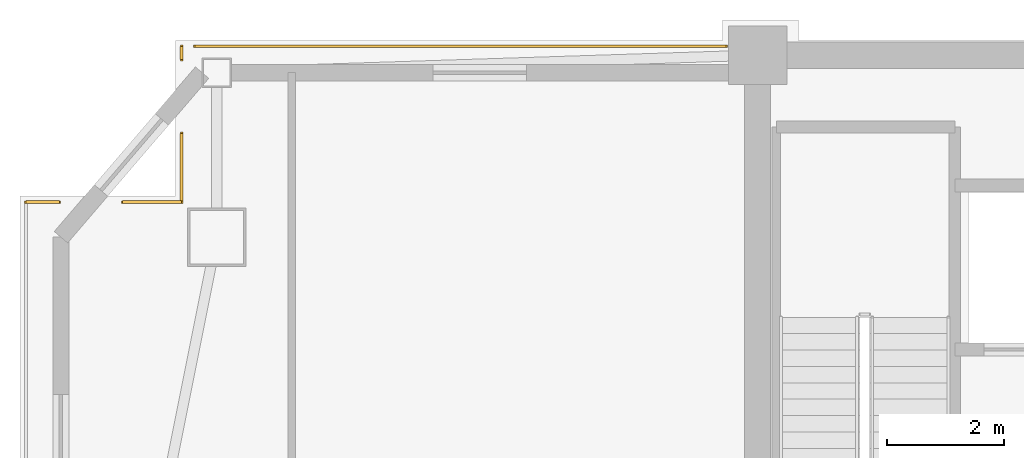
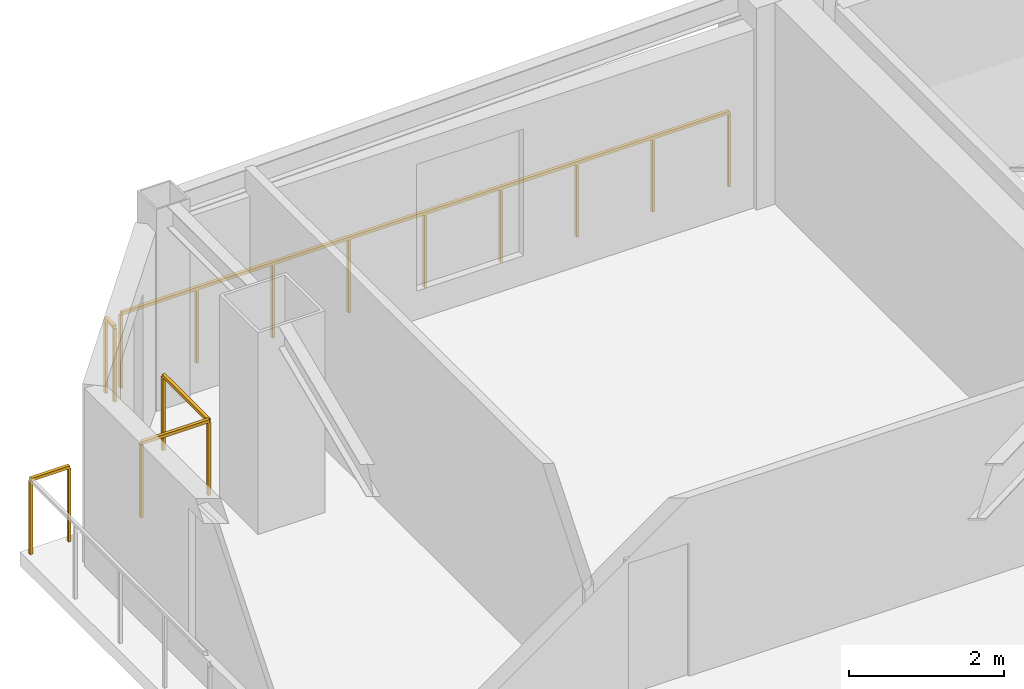
# One storey, part 18 of 19: 5 railings.
"""IFC4 building model written with IfcOpenShell, lengths in metres."""

import ifcopenshell
import ifcopenshell.guid

model = None  # the IFC model being written
_history = None  # IfcOwnerHistory: only IFC2X3 demands one
_inside = {}  # id of a spatial element -> (the spatial element, [elements in it])
_under = {}  # id of a project, library or spatial element -> (it, [spatial elements below it])
_declared = {}  # id of a project -> (the project, [libraries it declares])
_typed = {}  # id of a type object -> (the type object, [elements of that type])
_made_of = {}  # id of a material, layer set ... -> (it, [elements and type objects made of it])


def new_model(schema):
    """Start an empty IFC model of exactly this schema.

    Asked for "IFC4X3", IfcOpenShell would pick the latest addendum, in which some entities
    have other attributes; the version numbers below select the first issue.
    IFC2X3 requires an IfcOwnerHistory on every rooted entity: one is made here for all.
    """
    global model, _history
    if schema == "IFC4X3":
        model = ifcopenshell.file(schema_version=(4, 3, 0, 0))
    else:
        model = ifcopenshell.file(schema=schema)
    _inside.clear()
    _under.clear()
    _declared.clear()
    _typed.clear()
    _made_of.clear()
    _history = None
    if model.schema == "IFC2X3":
        org = make("IfcOrganization", Name="unknown")
        user = make(
            "IfcPersonAndOrganization",
            ThePerson=make("IfcPerson", FamilyName="unknown"),
            TheOrganization=org,
        )
        app = make(
            "IfcApplication",
            ApplicationDeveloper=org,
            Version="unknown",
            ApplicationFullName="unknown",
            ApplicationIdentifier="unknown",
        )
        _history = make(
            "IfcOwnerHistory",
            OwningUser=user,
            OwningApplication=app,
            ChangeAction="ADDED",
            CreationDate=0,
        )
    return model


def make(cls, **values):
    """One entity of the class cls with the attributes given. An attribute that is None is left unset."""
    return model.create_entity(
        cls, **{name: value for name, value in values.items() if value is not None}
    )


def rooted(cls, **values):
    """An entity with a GlobalId (a new one), such as an element, a storey or a relation."""
    return make(cls, GlobalId=ifcopenshell.guid.new(), OwnerHistory=_history, **values)


def si_unit(unit_type, name, prefix=None):
    """IfcSIUnit, for example si_unit("LENGTHUNIT", "METRE", prefix="MILLI")."""
    return make("IfcSIUnit", UnitType=unit_type, Prefix=prefix, Name=name)


def assignment(units):
    """IfcUnitAssignment: the units of a project."""
    return None if units is None else make("IfcUnitAssignment", Units=units)


def point(xyz):
    """IfcCartesianPoint."""
    return None if xyz is None else make("IfcCartesianPoint", Coordinates=xyz)


def direction(xyz):
    """IfcDirection."""
    return None if xyz is None else make("IfcDirection", DirectionRatios=xyz)


def frame(location, z_axis=None, x_axis=None):
    """IfcAxis2Placement3D, a coordinate frame: its origin and axes. An axis left out is left unset."""
    return make(
        "IfcAxis2Placement3D",
        Location=point(location),
        Axis=direction(z_axis),
        RefDirection=direction(x_axis),
    )


def frame_2d(location, x_axis=None):
    """IfcAxis2Placement2D, a coordinate frame in the plane: its origin and x axis."""
    return make(
        "IfcAxis2Placement2D", Location=point(location), RefDirection=direction(x_axis)
    )


def origin():
    """The frame at (0, 0, 0) with its axes left unset."""
    return frame((0.0, 0.0, 0.0))


def origin_2d():
    """The frame at (0, 0) in the plane with its x axis left unset."""
    return frame_2d((0.0, 0.0))


def place(relative_to, where):
    """IfcLocalPlacement: puts the frame where relative to a parent placement (None: the world)."""
    return make(
        "IfcLocalPlacement", PlacementRelTo=relative_to, RelativePlacement=where
    )


def context(
    kind, dimensions, precision=None, world=None, true_north=None, identifier=None
):
    """IfcGeometricRepresentationContext, for example the 3D "Model" context."""
    return make(
        "IfcGeometricRepresentationContext",
        ContextIdentifier=identifier,
        ContextType=kind,
        CoordinateSpaceDimension=dimensions,
        Precision=precision,
        WorldCoordinateSystem=world,
        TrueNorth=true_north,
    )


def subcontext(parent, identifier, kind, view, scale=None):
    """IfcGeometricRepresentationSubContext, for example "Body" below "Model"."""
    return make(
        "IfcGeometricRepresentationSubContext",
        ContextIdentifier=identifier,
        ContextType=kind,
        ParentContext=parent,
        TargetScale=scale,
        TargetView=view,
    )


def project(units=None, contexts=None):
    """IfcProject with its units and contexts."""
    return rooted(
        "IfcProject",
        Name="project",
        RepresentationContexts=contexts,
        UnitsInContext=assignment(units),
    )


def spatial(cls, under=None, at=None, **own):
    """A site, building, storey or space (cls), placed at a placement, below another one or the project."""
    s = rooted(cls, ObjectPlacement=at, **own)
    if under is not None:
        _under.setdefault(under.id(), (under, []))[1].append(s)
    return s


def profile(cls, at=None, kind="AREA", **sizes):
    """A parametric profile (cls). Its sizes go by their IFC names, for example OverallWidth=200.0."""
    return make(cls, ProfileType=kind, Position=at, **sizes)


def rectangle(**sizes):
    """IfcRectangleProfileDef."""
    return profile("IfcRectangleProfileDef", **sizes)


def extrude(swept, where, along, depth):
    """IfcExtrudedAreaSolid: the profile swept, set in the frame where, extruded along a direction by depth."""
    return make(
        "IfcExtrudedAreaSolid",
        SweptArea=swept,
        Position=where,
        ExtrudedDirection=direction(along),
        Depth=depth,
    )


def shape(context_of_items, identifier, shape_type, items):
    """IfcShapeRepresentation: the items that make up one representation, for example the "Body"."""
    return make(
        "IfcShapeRepresentation",
        ContextOfItems=context_of_items,
        RepresentationIdentifier=identifier,
        RepresentationType=shape_type,
        Items=items,
    )


def material(Name=None, Category=None):
    """IfcMaterial."""
    return make("IfcMaterial", Name=Name, Category=Category)


def made_of(thing, what):
    """Note that an element or type object is made of a material, layer set ...; save() writes the relation."""
    if what is not None:
        _made_of.setdefault(what.id(), (what, []))[1].append(thing)
    return thing


def type_object(cls, material=None, **own):
    """A type object (cls), such as IfcWallType, which elements share."""
    return made_of(rooted(cls, **own), material)


def element(
    cls,
    number,
    at=None,
    inside=None,
    cuts=None,
    type_object=None,
    material=None,
    context=None,
    identifier="Body",
    shape_type=None,
    held_by="IfcProductDefinitionShape",
    body=None,
    shapes=None,
    **own,
):
    """One element of the class cls, such as IfcWall. Its Tag is "e" and its number.

    at: its placement. inside: the storey or other place that contains it. cuts: it is an
    opening in that element (IfcRelVoidsElement). A single representation is given by context,
    identifier, shape_type and body (its items); several are given by shapes. held_by: the class
    of the entity that holds the representations. save() writes the other relations.
    """
    e = rooted(cls, Tag="e%d" % number, ObjectPlacement=at, **own)
    if body is not None:
        shapes = [shape(context, identifier, shape_type, body)]
    if shapes is not None:
        e.Representation = make(held_by, Representations=shapes)
    if inside is not None:
        _inside.setdefault(inside.id(), (inside, []))[1].append(e)
    if cuts is not None:
        rooted(
            "IfcRelVoidsElement", RelatingBuildingElement=cuts, RelatedOpeningElement=e
        )
    if type_object is not None:
        _typed.setdefault(type_object.id(), (type_object, []))[1].append(e)
    return made_of(e, material)


def aggregate(whole, parts):
    """IfcRelAggregates: a whole, such as a stair, and the parts it consists of."""
    return rooted("IfcRelAggregates", RelatingObject=whole, RelatedObjects=parts)


def save(model, path):
    """Write the relations noted so far, then the file.

    IfcRelAggregates (storeys below a building ...), IfcRelContainedInSpatialStructure (elements
    in a storey), IfcRelDefinesByType, IfcRelAssociatesMaterial and IfcRelDeclares: one each for
    every whole, place, type object, material and project.
    """
    for whole, parts in _under.values():
        aggregate(whole, parts)
    for where, things in _inside.values():
        rooted(
            "IfcRelContainedInSpatialStructure",
            RelatedElements=things,
            RelatingStructure=where,
        )
    for kind, things in _typed.values():
        rooted("IfcRelDefinesByType", RelatedObjects=things, RelatingType=kind)
    for what, things in _made_of.values():
        rooted("IfcRelAssociatesMaterial", RelatedObjects=things, RelatingMaterial=what)
    for by, libraries in _declared.values():
        rooted("IfcRelDeclares", RelatingContext=by, RelatedDefinitions=libraries)
    model.write(path)


model = new_model("IFC4")

# Units and contexts
model_context = context("Model", 3, precision=1e-05, world=origin(), true_north=direction((0.0, 1.0)))
body_context = subcontext(model_context, "Body", "Model", "MODEL_VIEW")
ifc_project = project(units=[si_unit("LENGTHUNIT", "METRE"), si_unit("AREAUNIT", "SQUARE_METRE"), si_unit("VOLUMEUNIT", "CUBIC_METRE"), si_unit("PLANEANGLEUNIT", "RADIAN"), si_unit("MASSUNIT", "GRAM", prefix="KILO")], contexts=[model_context])

# Site, building, storey
site_placement = place(None, origin())
site = spatial("IfcSite", under=ifc_project, at=site_placement, CompositionType="ELEMENT")
building_placement = place(site_placement, origin())
building = spatial("IfcBuilding", under=site, at=building_placement, Name="Giltprow Tower", CompositionType="ELEMENT")
storey_placement = place(building_placement, frame((0.0, 0.0, 241.699951171875)))
storey = spatial("IfcBuildingStorey", under=building, at=storey_placement, Name="L61", CompositionType="ELEMENT", Elevation=241.699951171875)

# Railings
ifc_material = material(Name="Anodized bronze", Category="metal")
railing_type = type_object("IfcRailingType", Name="RAIL-BALC-GUARD-1200", PredefinedType="BALUSTRADE", material=ifc_material)
railing_1_placement = place(storey_placement, frame((7.347900390625, 44.0390625, 0.0)))
element("IfcRailing", 1, at=railing_1_placement, inside=storey, type_object=railing_type, Name="L61 Corner Apron Edge Balustrade 18", PredefinedType="BALUSTRADE", context=body_context, shape_type="SweptSolid", body=[
    extrude(rectangle(XDim=0.048095703125, YDim=0.048095703125, at=origin_2d()), frame((0.0, 0.0, 1.17578125), z_axis=(1.0, 0.0, 0.0), x_axis=(0.0, 1.0, 0.0)), (0.0, 0.0, 1.0), 0.57421875),
    extrude(rectangle(XDim=0.0419921875, YDim=0.0419921875, at=origin_2d()), origin(), (0.0, 0.0, 1.0), 1.15185546875),
    extrude(rectangle(XDim=0.0419921875, YDim=0.0419921875, at=origin_2d()), frame((0.57421875, 0.0, 0.0)), (0.0, 0.0, 1.0), 1.15185546875),
])
railing_2_placement = place(storey_placement, frame((9.0029296875, 44.0390625, 0.0)))
element("IfcRailing", 2, at=railing_2_placement, inside=storey, type_object=railing_type, Name="L61 Corner Apron Edge Balustrade 19", PredefinedType="BALUSTRADE", context=body_context, shape_type="SweptSolid", body=[
    extrude(rectangle(XDim=0.048095703125, YDim=0.048095703125, at=origin_2d()), frame((0.0, 0.0, 1.17578125), z_axis=(1.0, 0.0, 0.0), x_axis=(0.0, 1.0, 0.0)), (0.0, 0.0, 1.0), 1.006103515625),
    extrude(rectangle(XDim=0.0419921875, YDim=0.0419921875, at=origin_2d()), origin(), (0.0, 0.0, 1.0), 1.15185546875),
    extrude(rectangle(XDim=0.0419921875, YDim=0.0419921875, at=origin_2d()), frame((1.006103515625, 0.0, 0.0)), (0.0, 0.0, 1.0), 1.15185546875),
])
railing_3_placement = place(storey_placement, frame((10.009033203125, 44.0390625, 0.0)))
element("IfcRailing", 3, at=railing_3_placement, inside=storey, type_object=railing_type, Name="L61 Corner Apron Edge Balustrade 20", PredefinedType="BALUSTRADE", context=body_context, shape_type="SweptSolid", body=[
    extrude(rectangle(XDim=0.048095703125, YDim=0.048095703125, at=origin_2d()), frame((0.0, 0.0, 1.17578125), z_axis=(0.0, 1.0, 0.0), x_axis=(-1.0, 0.0, 0.0)), (0.0, 0.0, 1.0), 1.1728515625),
    extrude(rectangle(XDim=0.0419921875, YDim=0.0419921875, at=origin_2d()), origin(), (0.0, 0.0, 1.0), 1.15185546875),
    extrude(rectangle(XDim=0.0419921875, YDim=0.0419921875, at=origin_2d()), frame((0.0, 1.1728515625, 0.0)), (0.0, 0.0, 1.0), 1.15185546875),
])
railing_4_placement = place(storey_placement, frame((10.009033203125, 46.471923828125, 0.0)))
element("IfcRailing", 4, at=railing_4_placement, inside=storey, type_object=railing_type, Name="L61 Corner Apron Edge Balustrade 21", PredefinedType="BALUSTRADE", context=body_context, shape_type="SweptSolid", body=[
    extrude(rectangle(XDim=0.048095703125, YDim=0.048095703125, at=origin_2d()), frame((0.0, 0.0, 1.17578125), z_axis=(0.0, 1.0, 0.0), x_axis=(-1.0, 0.0, 0.0)), (0.0, 0.0, 1.0), 0.22802734375),
    extrude(rectangle(XDim=0.0419921875, YDim=0.0419921875, at=origin_2d()), origin(), (0.0, 0.0, 1.0), 1.15185546875),
    extrude(rectangle(XDim=0.0419921875, YDim=0.0419921875, at=origin_2d()), frame((0.0, 0.22802734375, 0.0)), (0.0, 0.0, 1.0), 1.15185546875),
])
railing_5_placement = place(storey_placement, frame((10.23388671875, 46.699951171875, 0.0)))
element("IfcRailing", 5, at=railing_5_placement, inside=storey, type_object=railing_type, Name="L61 Corner Apron Edge Balustrade 22", PredefinedType="BALUSTRADE", context=body_context, shape_type="SweptSolid", body=[
    extrude(rectangle(XDim=0.048095703125, YDim=0.048095703125, at=origin_2d()), frame((0.0, 0.0, 1.17578125), z_axis=(1.0, 0.0, 0.0), x_axis=(0.0, 1.0, 0.0)), (0.0, 0.0, 1.0), 9.0810546875),
    extrude(rectangle(XDim=0.0419921875, YDim=0.0419921875, at=origin_2d()), origin(), (0.0, 0.0, 1.0), 1.15185546875),
    extrude(rectangle(XDim=0.0419921875, YDim=0.0419921875, at=origin_2d()), frame((1.13525390625, 0.0, 0.0)), (0.0, 0.0, 1.0), 1.15185546875),
    extrude(rectangle(XDim=0.0419921875, YDim=0.0419921875, at=origin_2d()), frame((2.270263671875, 0.0, 0.0)), (0.0, 0.0, 1.0), 1.15185546875),
    extrude(rectangle(XDim=0.0419921875, YDim=0.0419921875, at=origin_2d()), frame((3.4052734375, 0.0, 0.0)), (0.0, 0.0, 1.0), 1.15185546875),
    extrude(rectangle(XDim=0.0419921875, YDim=0.0419921875, at=origin_2d()), frame((4.54052734375, 0.0, 0.0)), (0.0, 0.0, 1.0), 1.15185546875),
    extrude(rectangle(XDim=0.0419921875, YDim=0.0419921875, at=origin_2d()), frame((5.67578125, 0.0, 0.0)), (0.0, 0.0, 1.0), 1.15185546875),
    extrude(rectangle(XDim=0.0419921875, YDim=0.0419921875, at=origin_2d()), frame((6.810791015625, 0.0, 0.0)), (0.0, 0.0, 1.0), 1.15185546875),
    extrude(rectangle(XDim=0.0419921875, YDim=0.0419921875, at=origin_2d()), frame((7.94580078125, 0.0, 0.0)), (0.0, 0.0, 1.0), 1.15185546875),
    extrude(rectangle(XDim=0.0419921875, YDim=0.0419921875, at=origin_2d()), frame((9.0810546875, 0.0, 0.0)), (0.0, 0.0, 1.0), 1.15185546875),
])

save(model, "model.ifc")
